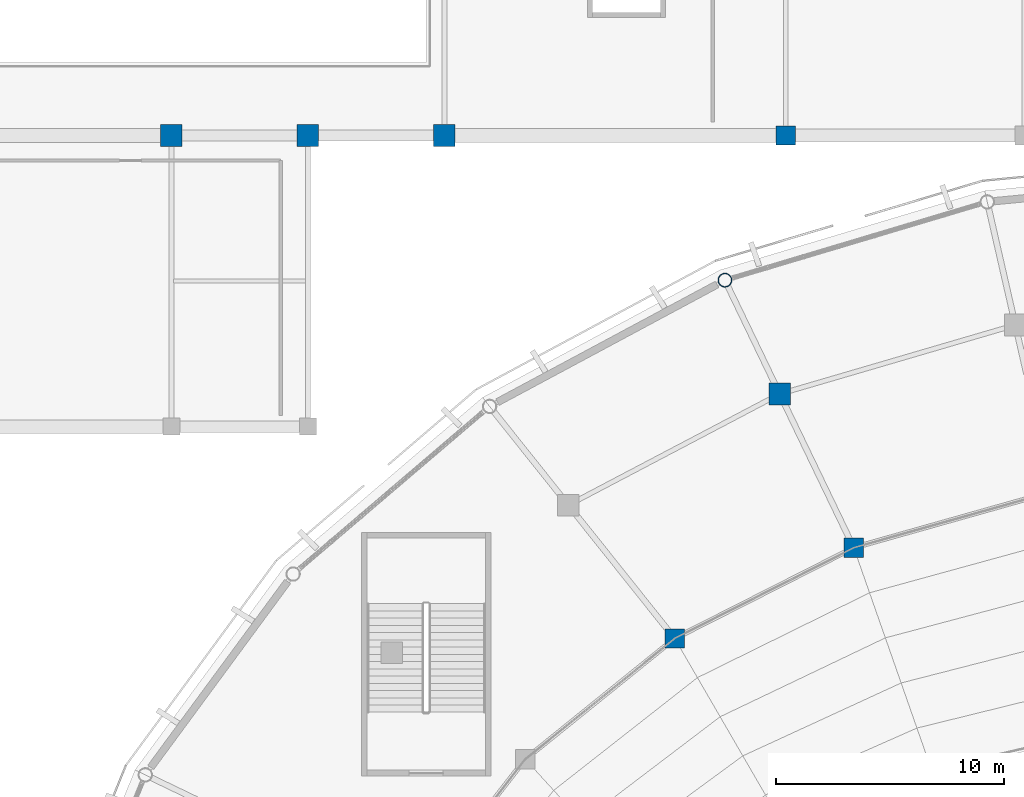
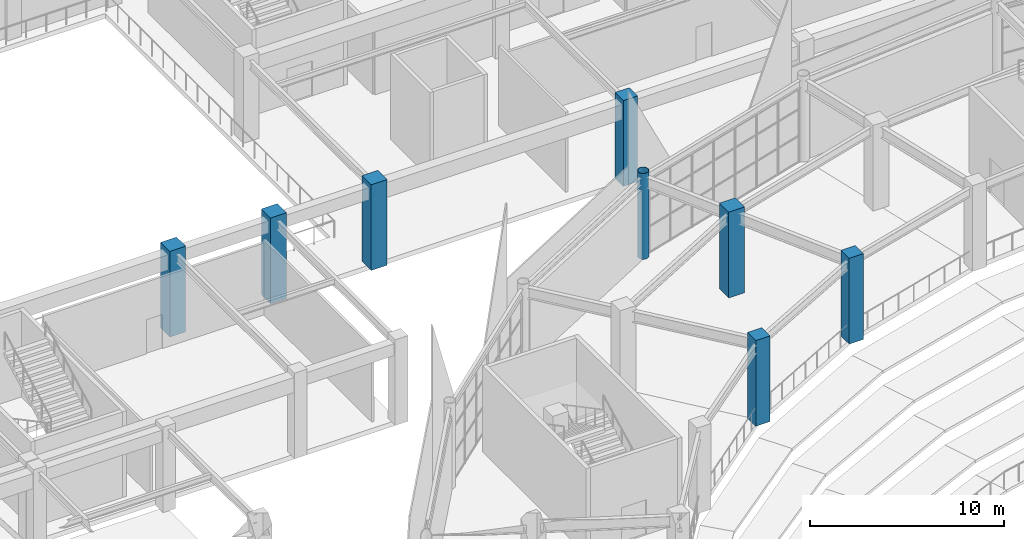
# One storey, part 7 of 120: 8 columns.
"""IFC4 building model written with IfcOpenShell, lengths in metres."""

from ifc_helpers import new_model, si_unit, direction, frame, origin, origin_2d, place, context, subcontext, project, spatial, rectangle, hollow_circle, extrude, material, material_profile, profile_set, type_object, element, save


model = new_model("IFC4")

# Units and contexts
model_context = context("Model", 3, precision=1e-05, world=origin(), true_north=direction((0.0, 1.0)))
body_context = subcontext(model_context, "Body", "Model", "MODEL_VIEW")
ifc_project = project(units=[si_unit("LENGTHUNIT", "METRE"), si_unit("AREAUNIT", "SQUARE_METRE"), si_unit("VOLUMEUNIT", "CUBIC_METRE"), si_unit("PLANEANGLEUNIT", "RADIAN"), si_unit("MASSUNIT", "GRAM", prefix="KILO")], contexts=[model_context])

# Site, building, storey
site_placement = place(None, origin())
site = spatial("IfcSite", under=ifc_project, at=site_placement, CompositionType="ELEMENT")
building_placement = place(site_placement, origin())
building = spatial("IfcBuilding", under=site, at=building_placement, Name="Cuetzalor Civic Arena", CompositionType="ELEMENT")
storey_placement = place(building_placement, frame((0.0, 0.0, 6.0)))
storey = spatial("IfcBuildingStorey", under=building, at=storey_placement, Name="L01", CompositionType="ELEMENT", Elevation=6.0)

# Columns
ifc_material_1 = material(Name="Concrete C40/50", Category="concrete")
ifc_material_profile_1 = material_profile(ifc_material_1, rectangle(XDim=0.85009765625, YDim=0.85009765625, at=origin_2d()), Name="RC 850x850")
ifc_profile_set_1 = profile_set([ifc_material_profile_1], Name="Concrete C40/50")
column_type_1 = type_object("IfcColumnType", Name="ConcreteColumn_850", PredefinedType="COLUMN", material=ifc_profile_set_1)
for number, where, z_axis, x_axis, name in (
    (1, (-18.006103515625, 30.1826171875, 0.0), (0.0, 0.0, 1.0), (1.0, 0.0, 0.0), "Column V1-MID-10 L01"),
    (2, (-25.874755859375, 26.19140625, 0.0), (0.0, 0.0, 1.0), (1.0, 0.0, 0.0), "Column V1-MID-11 L01"),
    (3, (-21.0, 48.300048828125, 0.0), (0.0, 0.0, 1.0), (1.0, 0.0, 0.0), "Column V5-C-06-02 L01"),
):
    element("IfcColumn", number, at=place(storey_placement, frame(where, z_axis=z_axis, x_axis=x_axis)), inside=storey, type_object=column_type_1, Name=name, PredefinedType="COLUMN", context=body_context, shape_type="SweptSolid", body=[
        extrude(rectangle(XDim=0.85009765625, YDim=0.85009765625, at=origin_2d()), origin(), (0.0, 0.0, 1.0), 5.39990234375),
    ])
ifc_material_2 = material(Name="Concrete C40/50", Category="concrete")
ifc_material_profile_2 = material_profile(ifc_material_2, rectangle(XDim=0.949951171875, YDim=0.949951171875, at=origin_2d()), Name="RC 950x950")
ifc_profile_set_2 = profile_set([ifc_material_profile_2], Name="Concrete C40/50")
column_type_2 = type_object("IfcColumnType", Name="ConcreteColumn_950", PredefinedType="COLUMN", material=ifc_profile_set_2)
for number, where, z_axis, x_axis, name in (
    (4, (-21.26025390625, 36.939697265625, 0.0), (0.0, 0.0, 1.0), (1.0, 0.0, 0.0), "Column V1-REC-10 L01"),
    (5, (-48.0, 48.300048828125, 0.0), (0.0, 0.0, 1.0), (1.0, 0.0, 0.0), "Column V5-C-03-02 L01"),
    (6, (-42.0, 48.300048828125, 0.0), (0.0, 0.0, 1.0), (1.0, 0.0, 0.0), "Column V5-C-04-02 L01"),
    (7, (-36.0, 48.300048828125, 0.0), (0.0, 0.0, 1.0), (1.0, 0.0, 0.0), "Column V5-C-05-02 L01"),
):
    element("IfcColumn", number, at=place(storey_placement, frame(where, z_axis=z_axis, x_axis=x_axis)), inside=storey, type_object=column_type_2, Name=name, PredefinedType="COLUMN", context=body_context, shape_type="SweptSolid", body=[
        extrude(rectangle(XDim=0.949951171875, YDim=0.949951171875, at=origin_2d()), origin(), (0.0, 0.0, 1.0), 5.39990234375),
    ])
ifc_material_3 = material(Name="Steel S355", Category="steel")
ifc_material_profile_3 = material_profile(ifc_material_3, hollow_circle(Radius=0.304931640625, WallThickness=0.02490234375, at=origin_2d()), Name="CHS 610x25")
ifc_profile_set_3 = profile_set([ifc_material_profile_3], Name="Steel S355")
column_type_3 = type_object("IfcColumnType", Name="SteelDomePylon_CHS610", PredefinedType="COLUMN", material=ifc_profile_set_3)
column_placement = place(storey_placement, frame((-23.66845703125, 41.940185546875, 0.0), z_axis=(0.0, 0.0, 1.0), x_axis=(1.0, 0.0, 0.0)))
element("IfcColumn", 8, at=column_placement, inside=storey, type_object=column_type_3, Name="Column V1-PYL-10 L01", PredefinedType="COLUMN", context=body_context, shape_type="SweptSolid", body=[
    extrude(hollow_circle(Radius=0.304931640625, WallThickness=0.02490234375, at=origin_2d()), origin(), (0.0, 0.0, 1.0), 5.39990234375),
])

save(model, "model.ifc")
